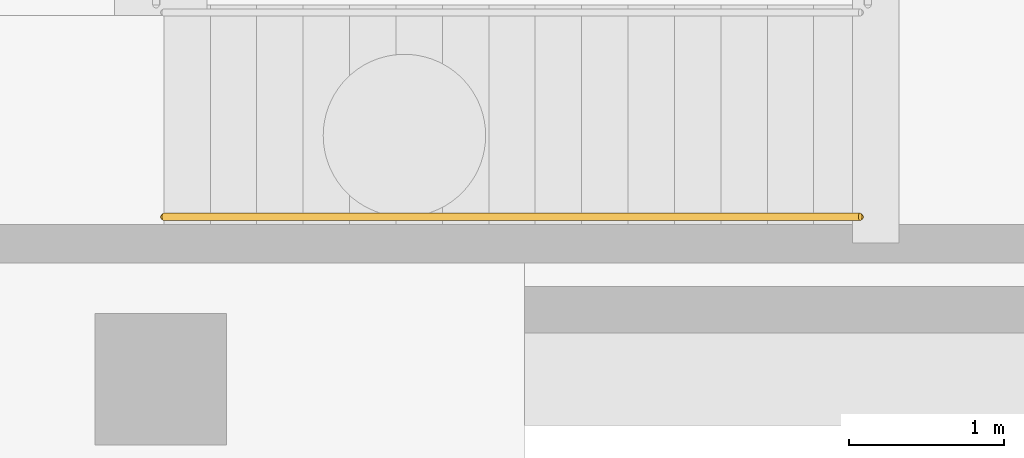
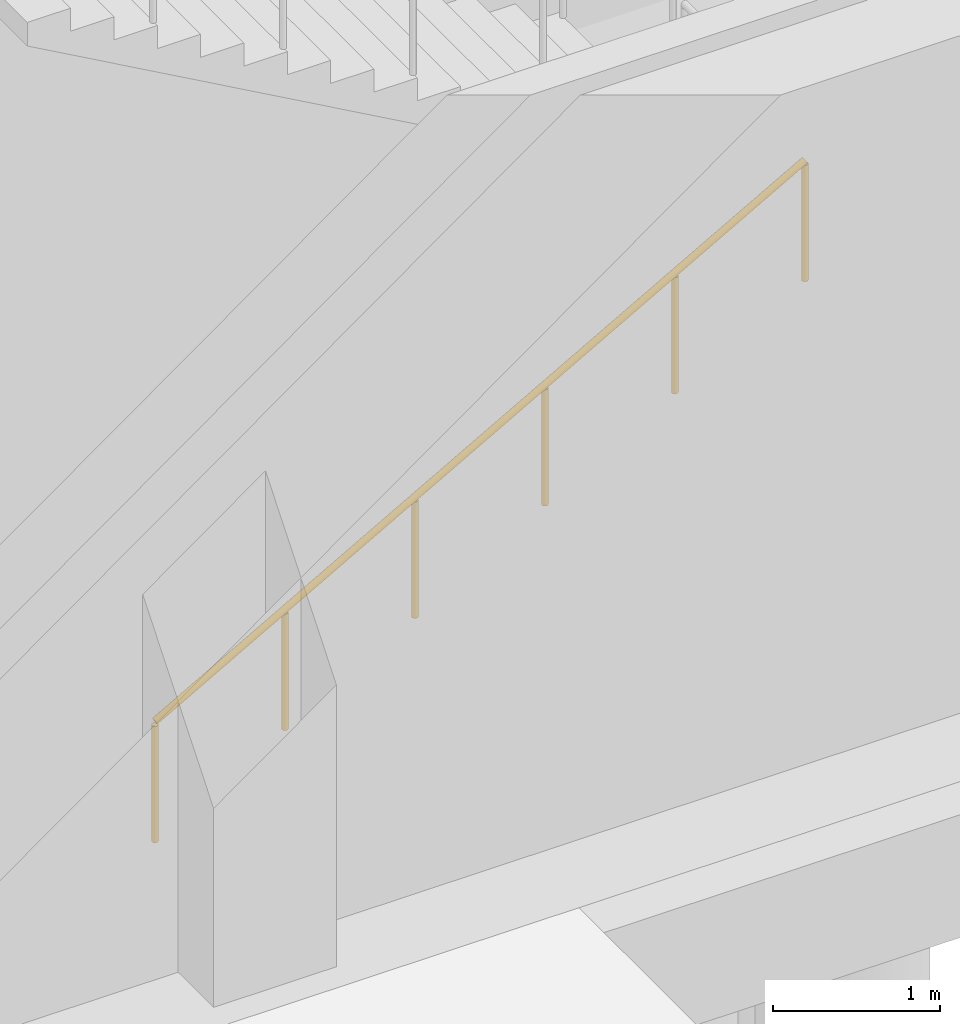
# One storey, part 20 of 23: 1 railing.
"""IFC4 building model written with IfcOpenShell, lengths in metres."""

from ifc_helpers import new_model, si_unit, direction, frame, origin, origin_2d, place, context, subcontext, project, spatial, circle, extrude, material, layer, layer_set, type_object, element, save


model = new_model("IFC4")

# Units and contexts
model_context = context("Model", 3, precision=1e-05, world=origin(), true_north=direction((0.0, 1.0)))
body_context = subcontext(model_context, "Body", "Model", "MODEL_VIEW")
ifc_project = project(units=[si_unit("LENGTHUNIT", "METRE"), si_unit("AREAUNIT", "SQUARE_METRE"), si_unit("VOLUMEUNIT", "CUBIC_METRE"), si_unit("PLANEANGLEUNIT", "RADIAN"), si_unit("MASSUNIT", "GRAM", prefix="KILO")], contexts=[model_context])

# Site, building, storey
site_placement = place(None, origin())
site = spatial("IfcSite", under=ifc_project, at=site_placement, CompositionType="ELEMENT")
building_placement = place(site_placement, origin())
building = spatial("IfcBuilding", under=site, at=building_placement, Name="Dornvale Research Institute", CompositionType="ELEMENT")
storey_placement = place(building_placement, frame((0.0, 0.0, -5.39990234375)))
storey = spatial("IfcBuildingStorey", under=building, at=storey_placement, Name="B1", CompositionType="ELEMENT", Elevation=-5.39990234375)

# Railing
ifc_material = material(Name="Galvanized Painted Tubular Steel Stair Rail", Category="steel")
ifc_layer = layer(ifc_material, 0.044921875)
ifc_layer_set = layer_set([ifc_layer], Name="Galvanized Painted Tubular Steel Stair Rail")
railing_type = type_object("IfcRailingType", Name="Railing_Stair_Handrail_900", PredefinedType="HANDRAIL", material=ifc_layer_set)
railing_placement = place(storey_placement, frame((165.02001953125, 93.449951171875, 0.168701171875)))
element("IfcRailing", 1, at=railing_placement, inside=storey, type_object=railing_type, Name="B1 ST-4 stair handrail 1", PredefinedType="HANDRAIL", context=body_context, shape_type="SweptSolid", body=[
    extrude(circle(Radius=0.02392578125, at=origin_2d()), frame((0.0, 0.0, 0.8759765625), z_axis=(0.871575537125, 0.0, 0.490261239633), x_axis=(0.0, 1.0, 0.0)), (0.0, 0.0, 1.0), 5.1630859375),
    extrude(circle(Radius=0.02099609375, at=origin_2d()), origin(), (0.0, 0.0, 1.0), 0.851806640625),
    extrude(circle(Radius=0.02099609375, at=origin_2d()), frame((0.89990234375, 0.0, 0.50634765625)), (0.0, 0.0, 1.0), 0.851806640625),
    extrude(circle(Radius=0.02099609375, at=origin_2d()), frame((1.800048828125, 0.0, 1.012451171875)), (0.0, 0.0, 1.0), 0.851806640625),
    extrude(circle(Radius=0.02099609375, at=origin_2d()), frame((2.699951171875, 0.0, 1.518798828125)), (0.0, 0.0, 1.0), 0.851806640625),
    extrude(circle(Radius=0.02099609375, at=origin_2d()), frame((3.60009765625, 0.0, 2.02490234375)), (0.0, 0.0, 1.0), 0.851806640625),
    extrude(circle(Radius=0.02099609375, at=origin_2d()), frame((4.5, 0.0, 2.53125)), (0.0, 0.0, 1.0), 0.851806640625),
])

save(model, "model.ifc")
